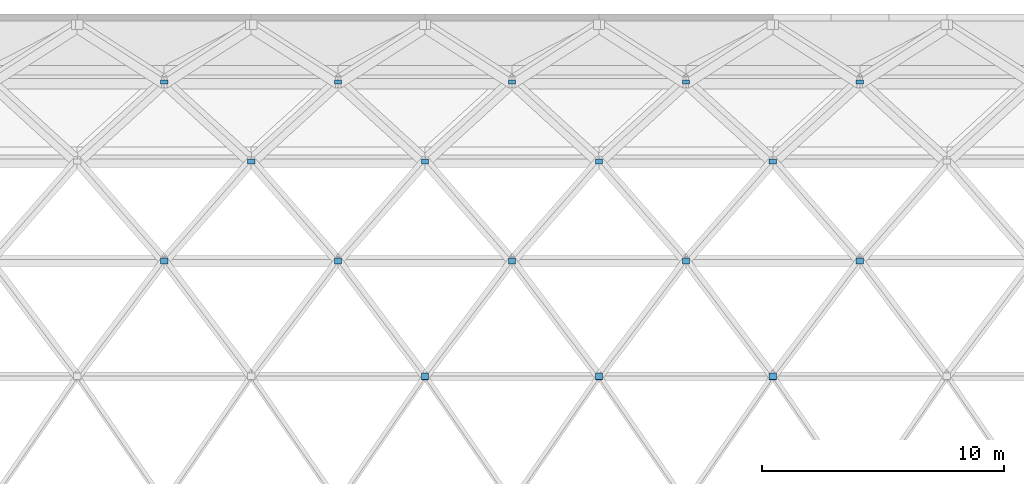
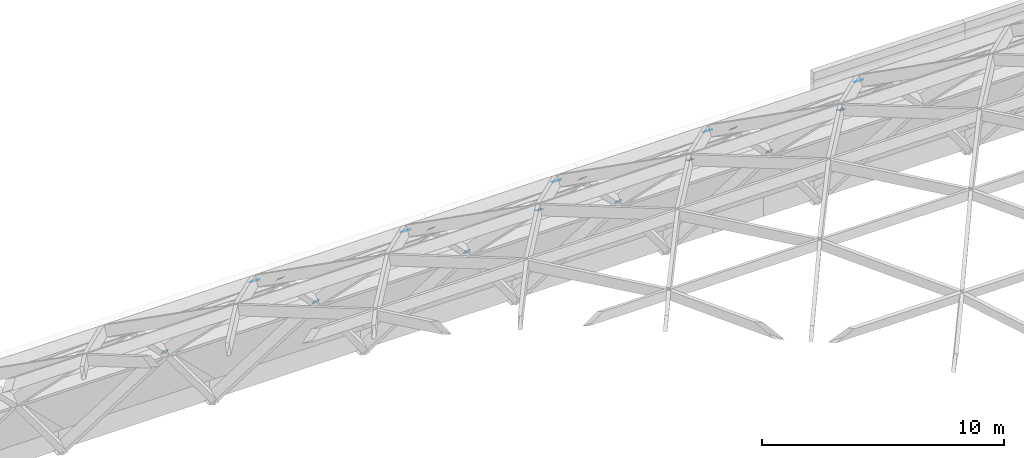
# One storey, part 42 of 52: 17 discrete accessories.
"""IFC4 building model written with IfcOpenShell, lengths in metres."""

from ifc_helpers import new_model, si_unit, direction, frame, origin, origin_2d, place, context, subcontext, project, spatial, rectangle, extrude, material, material_profile, profile_set, type_object, element, save


model = new_model("IFC4")

# Units and contexts
model_context = context("Model", 3, precision=1e-05, world=origin(), true_north=direction((0.0, 1.0)))
body_context = subcontext(model_context, "Body", "Model", "MODEL_VIEW")
ifc_project = project(units=[si_unit("LENGTHUNIT", "METRE"), si_unit("AREAUNIT", "SQUARE_METRE"), si_unit("VOLUMEUNIT", "CUBIC_METRE"), si_unit("PLANEANGLEUNIT", "RADIAN"), si_unit("MASSUNIT", "GRAM", prefix="KILO")], contexts=[model_context])

# Site, building, storey
site_placement = place(None, origin())
site = spatial("IfcSite", under=ifc_project, at=site_placement, CompositionType="ELEMENT")
building_placement = place(site_placement, origin())
building = spatial("IfcBuilding", under=site, at=building_placement, Name="Vermilion Court Aquatics Centre", CompositionType="ELEMENT")
storey_placement = place(building_placement, frame((0.0, 0.0, 12.0)))
storey = spatial("IfcBuildingStorey", under=building, at=storey_placement, Name="L02", CompositionType="ELEMENT", Elevation=12.0)

# Discrete accessories
ifc_material = material(Name="Stainless steel 1.4547, 1.4529 or 1.4565", Category="steel")
ifc_material_profile = material_profile(ifc_material, rectangle(XDim=0.300048828125, YDim=0.300048828125, at=origin_2d()), Name="PL 12 x 300 x 300")
ifc_profile_set = profile_set([ifc_material_profile], Name="Stainless steel 1.4547, 1.4529 or 1.4565")
discrete_accessory_type = type_object("IfcDiscreteAccessoryType", Name="Gridshell node plate", PredefinedType="BRACKET", material=ifc_profile_set)
for number, where, z_axis, x_axis, name in (
    (1, (43.199951171875, 50.297607421875, 16.00146484375), (0.0, 0.406138466053, 0.91381154862), (-1.0, 0.0, 0.0), "Gridshell node plate NP1 08-04"),
    (2, (50.39990234375, 50.297607421875, 16.00146484375), (0.0, 0.406138466053, 0.91381154862), (-1.0, 0.0, 0.0), "Gridshell node plate NP1 08-05"),
    (3, (57.60009765625, 50.297607421875, 16.00146484375), (0.0, 0.406138466053, 0.91381154862), (-1.0, 0.0, 0.0), "Gridshell node plate NP1 08-06"),
    (4, (32.39990234375, 55.076416015625, 13.2861328125), (0.0, 0.586967571461, 0.809610443394), (-1.0, 0.0, 0.0), "Gridshell node plate NP1 09-03"),
    (5, (39.60009765625, 55.076416015625, 13.2861328125), (0.0, 0.586967571461, 0.809610443394), (-1.0, 0.0, 0.0), "Gridshell node plate NP1 09-04"),
    (6, (46.800048828125, 55.076416015625, 13.2861328125), (0.0, 0.586967571461, 0.809610443394), (-1.0, 0.0, 0.0), "Gridshell node plate NP1 09-05"),
    (7, (54.0, 55.076416015625, 13.2861328125), (0.0, 0.586967571461, 0.809610443394), (-1.0, 0.0, 0.0), "Gridshell node plate NP1 09-06"),
    (8, (61.199951171875, 55.076416015625, 13.2861328125), (0.0, 0.586967571461, 0.809610443394), (-1.0, 0.0, 0.0), "Gridshell node plate NP1 09-07"),
    (9, (36.0, 59.195556640625, 9.64794921875), (0.0, 0.737154140201, 0.675724628517), (-1.0, 0.0, 0.0), "Gridshell node plate NP1 10-03"),
    (10, (43.199951171875, 59.195556640625, 9.64794921875), (0.0, 0.737154140201, 0.675724628517), (-1.0, 0.0, 0.0), "Gridshell node plate NP1 10-04"),
    (11, (50.39990234375, 59.195556640625, 9.64794921875), (0.0, 0.737154140201, 0.675724628517), (-1.0, 0.0, 0.0), "Gridshell node plate NP1 10-05"),
    (12, (57.60009765625, 59.195556640625, 9.64794921875), (0.0, 0.737154140201, 0.675724628517), (-1.0, 0.0, 0.0), "Gridshell node plate NP1 10-06"),
    (13, (32.39990234375, 62.48486328125, 5.23583984375), (0.0, 0.850265146688, 0.526354614616), (-1.0, 0.0, 0.0), "Gridshell node plate NP1 11-03"),
    (14, (39.60009765625, 62.48486328125, 5.23583984375), (0.0, 0.850265146688, 0.526354614616), (-1.0, 0.0, 0.0), "Gridshell node plate NP1 11-04"),
    (15, (46.800048828125, 62.48486328125, 5.23583984375), (0.0, 0.850265146688, 0.526354614616), (-1.0, 0.0, 0.0), "Gridshell node plate NP1 11-05"),
    (16, (54.0, 62.48486328125, 5.23583984375), (0.0, 0.850265146688, 0.526354614616), (-1.0, 0.0, 0.0), "Gridshell node plate NP1 11-06"),
    (17, (61.199951171875, 62.48486328125, 5.23583984375), (0.0, 0.850265146688, 0.526354614616), (-1.0, 0.0, 0.0), "Gridshell node plate NP1 11-07"),
):
    element("IfcDiscreteAccessory", number, at=place(storey_placement, frame(where, z_axis=z_axis, x_axis=x_axis)), inside=storey, type_object=discrete_accessory_type, Name=name, PredefinedType="BRACKET", context=body_context, shape_type="SweptSolid", body=[
        extrude(rectangle(XDim=0.300048828125, YDim=0.300048828125, at=origin_2d()), origin(), (0.0, 0.0, 1.0), 0.011962890625),
    ])

save(model, "model.ifc")
